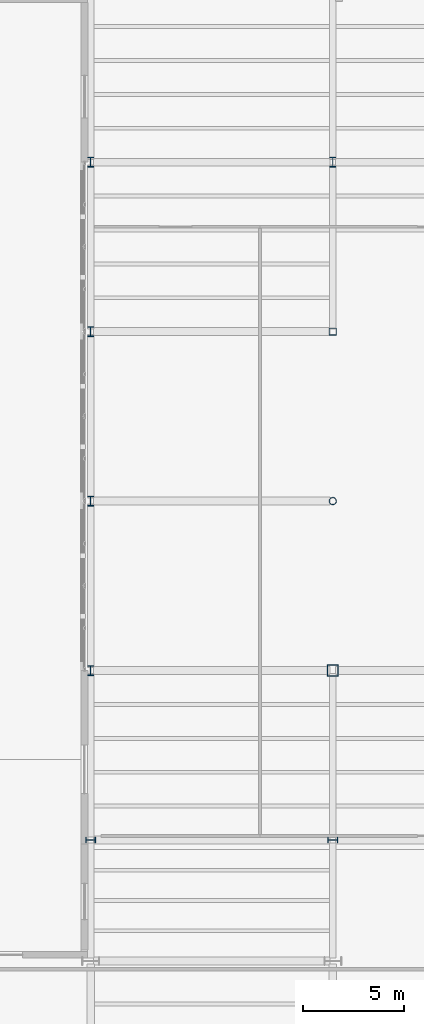
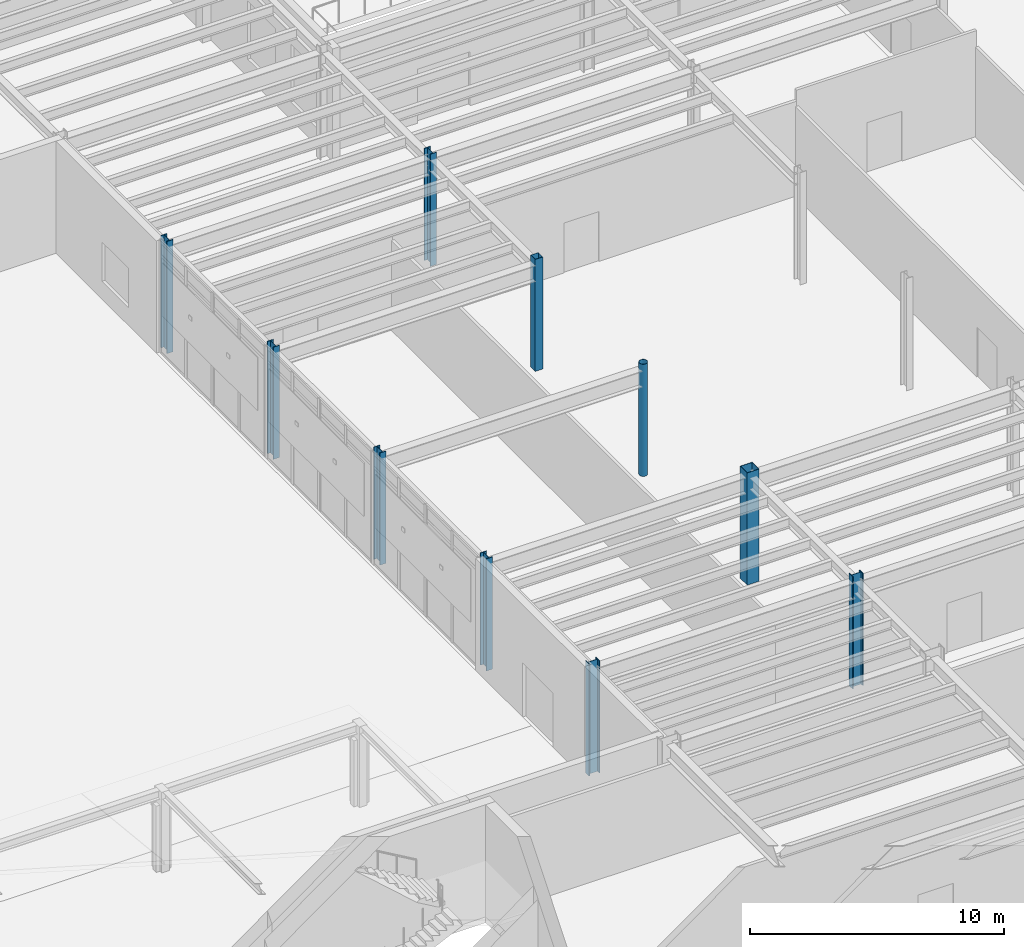
# One storey, part 6 of 94: 10 columns.
"""IFC4 building model written with IfcOpenShell, lengths in metres."""

from ifc_helpers import new_model, si_unit, direction, frame, origin, origin_2d, place, context, subcontext, project, spatial, hollow_rectangle, hollow_circle, i_section, extrude, material, material_profile, profile_set, type_object, element, save


model = new_model("IFC4")

# Units and contexts
model_context = context("Model", 3, precision=1e-05, world=origin(), true_north=direction((0.0, 1.0)))
body_context = subcontext(model_context, "Body", "Model", "MODEL_VIEW")
ifc_project = project(units=[si_unit("LENGTHUNIT", "METRE"), si_unit("AREAUNIT", "SQUARE_METRE"), si_unit("VOLUMEUNIT", "CUBIC_METRE"), si_unit("PLANEANGLEUNIT", "RADIAN"), si_unit("MASSUNIT", "GRAM", prefix="KILO")], contexts=[model_context])

# Site, building, storey
site_placement = place(None, origin())
site = spatial("IfcSite", under=ifc_project, at=site_placement, CompositionType="ELEMENT")
building_placement = place(site_placement, origin())
building = spatial("IfcBuilding", under=site, at=building_placement, Name="Sollismere Congress Hotel", CompositionType="ELEMENT")
storey_placement = place(building_placement, origin())
storey = spatial("IfcBuildingStorey", under=building, at=storey_placement, Name="L00", CompositionType="ELEMENT", Elevation=0.0)

# Columns
ifc_material_1 = material(Name="Steel ASTM A500 Grade C", Category="steel")
ifc_material_profile_1 = material_profile(ifc_material_1, hollow_circle(Radius=0.177978515625, WallThickness=0.011962890625, at=origin_2d()), Name="CHS356X12")
ifc_profile_set_1 = profile_set([ifc_material_profile_1], Name="Steel ASTM A500 Grade C")
column_type_1 = type_object("IfcColumnType", Name="COL-CHS356I", PredefinedType="COLUMN", material=ifc_profile_set_1)
column_1_placement = place(storey_placement, frame((124.0, 41.60009765625, 0.0), z_axis=(0.0, 0.0, 1.0), x_axis=(1.0, 0.0, 0.0)))
element("IfcColumn", 1, at=column_1_placement, inside=storey, type_object=column_type_1, Name="Column CL-L00-693", PredefinedType="COLUMN", context=body_context, shape_type="SweptSolid", body=[
    extrude(hollow_circle(Radius=0.177978515625, WallThickness=0.011962890625, at=origin_2d()), origin(), (0.0, 0.0, 1.0), 5.39990234375),
])
ifc_material_profile_2 = material_profile(ifc_material_1, hollow_rectangle(XDim=0.35009765625, YDim=0.35009765625, WallThickness=0.011962890625, at=origin_2d()), Name="HSS350X350X12")
ifc_profile_set_2 = profile_set([ifc_material_profile_2], Name="Steel ASTM A500 Grade C")
column_type_2 = type_object("IfcColumnType", Name="COL-HSS350I", PredefinedType="COLUMN", material=ifc_profile_set_2)
column_2_placement = place(storey_placement, frame((124.0, 50.0, 0.0), z_axis=(0.0, 0.0, 1.0), x_axis=(1.0, 0.0, 0.0)))
element("IfcColumn", 2, at=column_2_placement, inside=storey, type_object=column_type_2, Name="Column CL-L00-697", PredefinedType="COLUMN", context=body_context, shape_type="SweptSolid", body=[
    extrude(hollow_rectangle(XDim=0.35009765625, YDim=0.35009765625, WallThickness=0.011962890625, at=origin_2d()), origin(), (0.0, 0.0, 1.0), 5.39990234375),
])
ifc_material_profile_3 = material_profile(ifc_material_1, hollow_rectangle(XDim=0.550048828125, YDim=0.550048828125, WallThickness=0.02001953125, at=origin_2d()), Name="HSS550X550X20")
ifc_profile_set_3 = profile_set([ifc_material_profile_3], Name="Steel ASTM A500 Grade C")
column_type_3 = type_object("IfcColumnType", Name="COL-HSS550", PredefinedType="COLUMN", material=ifc_profile_set_3)
column_3_placement = place(storey_placement, frame((124.0, 33.199951171875, 0.0), z_axis=(0.0, 0.0, 1.0), x_axis=(1.0, 0.0, 0.0)))
element("IfcColumn", 3, at=column_3_placement, inside=storey, type_object=column_type_3, Name="Column CL-L00-689", PredefinedType="COLUMN", context=body_context, shape_type="SweptSolid", body=[
    extrude(hollow_rectangle(XDim=0.550048828125, YDim=0.550048828125, WallThickness=0.02001953125, at=origin_2d()), origin(), (0.0, 0.0, 1.0), 5.39990234375),
])
ifc_material_2 = material(Name="Steel ASTM A992 Grade 50", Category="steel")
ifc_material_profile_4 = material_profile(ifc_material_2, i_section(OverallWidth=0.283935546875, OverallDepth=0.4951171875, WebThickness=0.0185546875, FlangeThickness=0.033447265625, at=origin_2d()), Name="W18X143")
ifc_profile_set_4 = profile_set([ifc_material_profile_4], Name="Steel ASTM A992 Grade 50")
column_type_4 = type_object("IfcColumnType", Name="COL-W18", PredefinedType="COLUMN", material=ifc_profile_set_4)
for number, where, z_axis, x_axis, name in (
    (4, (112.0, 24.800048828125, 0.0), (0.0, 0.0, 1.0), (0.0, 1.0, 0.0), "Column CL-L00-608"),
    (5, (112.0, 33.199951171875, 0.0), (0.0, 0.0, 1.0), (1.0, 0.0, 0.0), "Column CL-L00-611"),
    (6, (112.0, 41.60009765625, 0.0), (0.0, 0.0, 1.0), (1.0, 0.0, 0.0), "Column CL-L00-614"),
    (7, (112.0, 50.0, 0.0), (0.0, 0.0, 1.0), (1.0, 0.0, 0.0), "Column CL-L00-617"),
    (8, (112.0, 58.39990234375, 0.0), (0.0, 0.0, 1.0), (1.0, 0.0, 0.0), "Column CL-L00-620"),
    (9, (124.0, 24.800048828125, 0.0), (0.0, 0.0, 1.0), (0.0, 1.0, 0.0), "Column CL-L00-686"),
    (10, (124.0, 58.39990234375, 0.0), (0.0, 0.0, 1.0), (1.0, 0.0, 0.0), "Column CL-L00-701"),
):
    element("IfcColumn", number, at=place(storey_placement, frame(where, z_axis=z_axis, x_axis=x_axis)), inside=storey, type_object=column_type_4, Name=name, PredefinedType="COLUMN", context=body_context, shape_type="SweptSolid", body=[
        extrude(i_section(OverallWidth=0.283935546875, OverallDepth=0.4951171875, WebThickness=0.0185546875, FlangeThickness=0.033447265625, at=origin_2d()), origin(), (0.0, 0.0, 1.0), 5.39990234375),
    ])

save(model, "model.ifc")
